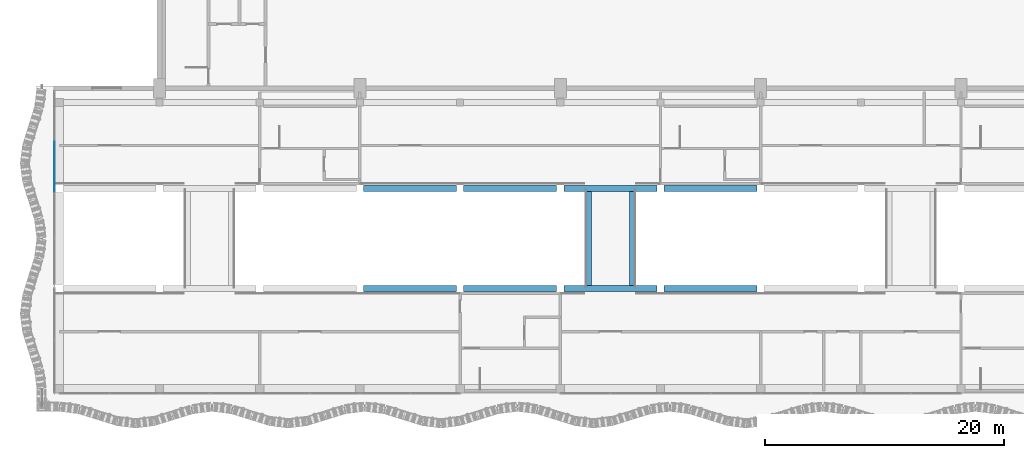
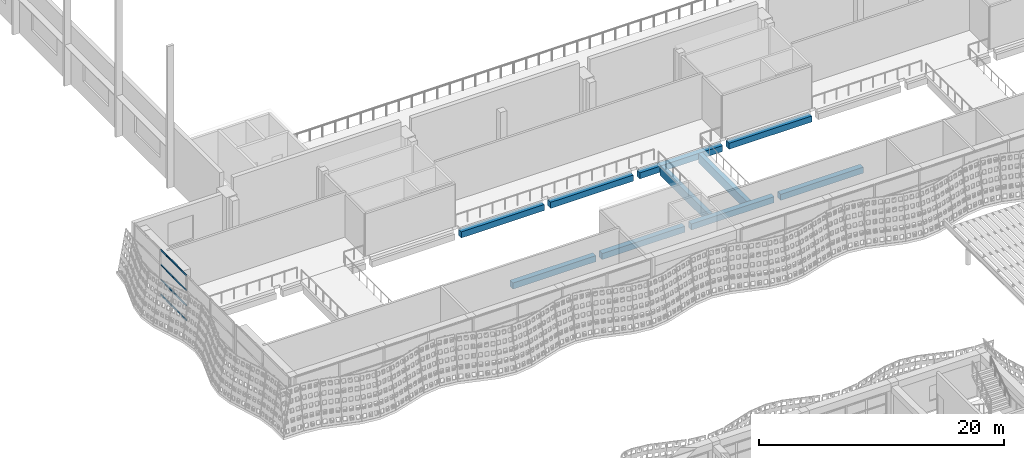
# One storey, part 29 of 162: 10 beams, 4 members, 1 element without a shape of its own.
"""IFC4 building model written with IfcOpenShell, lengths in metres."""

from ifc_helpers import new_model, si_unit, direction, frame, origin, origin_2d, place, context, subcontext, project, spatial, rectangle, extrude, material, layer, layer_set, material_profile, profile_set, type_object, element, aggregate, save


model = new_model("IFC4")

# Units and contexts
model_context = context("Model", 3, precision=1e-05, world=origin(), true_north=direction((0.0, 1.0)))
body_context = subcontext(model_context, "Body", "Model", "MODEL_VIEW")
ifc_project = project(units=[si_unit("LENGTHUNIT", "METRE"), si_unit("AREAUNIT", "SQUARE_METRE"), si_unit("VOLUMEUNIT", "CUBIC_METRE"), si_unit("PLANEANGLEUNIT", "RADIAN"), si_unit("MASSUNIT", "GRAM", prefix="KILO")], contexts=[model_context])

# Site, building, storey
site_placement = place(None, origin())
site = spatial("IfcSite", under=ifc_project, at=site_placement, CompositionType="ELEMENT")
building_placement = place(site_placement, origin())
building = spatial("IfcBuilding", under=site, at=building_placement, Name="Rain Tree Exposition and Congress Centre", CompositionType="ELEMENT")
storey_placement = place(building_placement, frame((0.0, 0.0, 6.0)))
storey = spatial("IfcBuildingStorey", under=building, at=storey_placement, Name="L01", CompositionType="ELEMENT", Elevation=6.0)

# Curtain wall, members
ifc_material_1 = material(Name="Aluminium curtain wall system", Category="aluminium")
ifc_layer = layer(ifc_material_1, 0.10009765625)
ifc_layer_set = layer_set([ifc_layer], Name="Aluminium curtain wall system")
curtain_wall_type = type_object("IfcCurtainWallType", Name="Concourse curtain wall 4200 module", PredefinedType="NOTDEFINED", material=ifc_layer_set)
curtain_wall_placement = place(storey_placement, origin())
curtain_wall = element("IfcCurtainWall", 1, at=curtain_wall_placement, inside=storey, type_object=curtain_wall_type, Name="Concourse curtain wall CWC34", PredefinedType="NOTDEFINED")
ifc_material_2 = material(Name="Aluminium transom", Category="aluminium")
ifc_material_profile_1 = material_profile(ifc_material_2, rectangle(XDim=0.06005859375, YDim=0.1201171875, at=origin_2d()), Name="AL 60x120")
ifc_profile_set_1 = profile_set([ifc_material_profile_1], Name="Aluminium transom")
member_type = type_object("IfcMemberType", Name="Concourse curtain wall transom 60x120", PredefinedType="USERDEFINED", material=ifc_profile_set_1)
member_1_placement = place(storey_placement, frame((-0.39990234375, 92.110107421875, 0.030029296875), z_axis=(0.0, 1.0, 0.0), x_axis=(-1.0, 0.0, 0.0)))
member_1 = element("IfcMember", 2, at=member_1_placement, type_object=member_type, Name="CWC34 transom 1.1", ObjectType="TRANSOM", PredefinedType="USERDEFINED", context=body_context, shape_type="SweptSolid", body=[
    extrude(rectangle(XDim=0.06005859375, YDim=0.1201171875, at=origin_2d()), origin(), (0.0, 0.0, 1.0), 4.184814453125),
])
member_2_placement = place(storey_placement, frame((-0.39990234375, 92.110107421875, 1.5), z_axis=(0.0, 1.0, 0.0), x_axis=(-1.0, 0.0, 0.0)))
member_2 = element("IfcMember", 3, at=member_2_placement, type_object=member_type, Name="CWC34 transom 1.2", ObjectType="TRANSOM", PredefinedType="USERDEFINED", context=body_context, shape_type="SweptSolid", body=[
    extrude(rectangle(XDim=0.06005859375, YDim=0.1201171875, at=origin_2d()), origin(), (0.0, 0.0, 1.0), 4.184814453125),
])
member_3_placement = place(storey_placement, frame((-0.39990234375, 92.110107421875, 3.0), z_axis=(0.0, 1.0, 0.0), x_axis=(-1.0, 0.0, 0.0)))
member_3 = element("IfcMember", 4, at=member_3_placement, type_object=member_type, Name="CWC34 transom 1.3", ObjectType="TRANSOM", PredefinedType="USERDEFINED", context=body_context, shape_type="SweptSolid", body=[
    extrude(rectangle(XDim=0.06005859375, YDim=0.1201171875, at=origin_2d()), origin(), (0.0, 0.0, 1.0), 4.184814453125),
])
member_4_placement = place(storey_placement, frame((-0.39990234375, 92.110107421875, 4.469970703125), z_axis=(0.0, 1.0, 0.0), x_axis=(-1.0, 0.0, 0.0)))
member_4 = element("IfcMember", 5, at=member_4_placement, type_object=member_type, Name="CWC34 transom 1.4", ObjectType="TRANSOM", PredefinedType="USERDEFINED", context=body_context, shape_type="SweptSolid", body=[
    extrude(rectangle(XDim=0.06005859375, YDim=0.1201171875, at=origin_2d()), origin(), (0.0, 0.0, 1.0), 4.184814453125),
])
aggregate(curtain_wall, [member_1, member_2, member_3, member_4])

# Beams
ifc_material_3 = material(Name="Precast concrete C50/60", Category="concrete")
ifc_material_profile_2 = material_profile(ifc_material_3, rectangle(XDim=0.39990234375, YDim=0.89990234375, at=origin_2d()), Name="RC 400x900")
ifc_profile_set_2 = profile_set([ifc_material_profile_2], Name="Precast concrete C50/60")
beam_type_1 = type_object("IfcBeamType", Name="Precast beam 400x900", PredefinedType="BEAM", material=ifc_profile_set_2)
for number, where, z_axis, x_axis, name in (
    (6, (44.39990234375, 84.25, -0.75), (0.0, 1.0, 0.0), (-1.0, 0.0, 0.0), "Concourse bridge beam 2.1"),
    (7, (48.0, 84.25, -0.75), (0.0, 1.0, 0.0), (-1.0, 0.0, 0.0), "Concourse bridge beam 2.2"),
):
    element("IfcBeam", number, at=place(storey_placement, frame(where, z_axis=z_axis, x_axis=x_axis)), inside=storey, type_object=beam_type_1, Name=name, PredefinedType="BEAM", context=body_context, shape_type="SweptSolid", body=[
        extrude(rectangle(XDim=0.39990234375, YDim=0.89990234375, at=origin_2d()), origin(), (0.0, 0.0, 1.0), 7.89990234375),
    ])
ifc_material_4 = material(Name="Precast concrete C50/60", Category="concrete")
ifc_material_profile_3 = material_profile(ifc_material_4, rectangle(XDim=0.5, YDim=0.60009765625, at=origin_2d()), Name="RC 500x600")
ifc_profile_set_3 = profile_set([ifc_material_profile_3], Name="Precast concrete C50/60")
beam_type_2 = type_object("IfcBeamType", Name="Precast beam 500x600", PredefinedType="BEAM", material=ifc_profile_set_3)
for number, where, z_axis, x_axis, name in (
    (8, (25.5, 84.0, -0.60009765625), (1.0, 0.0, 0.0), (0.0, 1.0, 0.0), "Concourse floor beam 36"),
    (9, (33.89990234375, 84.0, -0.60009765625), (1.0, 0.0, 0.0), (0.0, 1.0, 0.0), "Concourse floor beam 37"),
    (10, (42.300048828125, 84.0, -0.60009765625), (1.0, 0.0, 0.0), (0.0, 1.0, 0.0), "Concourse floor beam 38"),
    (11, (50.699951171875, 84.0, -0.60009765625), (1.0, 0.0, 0.0), (0.0, 1.0, 0.0), "Concourse floor beam 39"),
    (12, (25.5, 92.39990234375, -0.60009765625), (1.0, 0.0, 0.0), (0.0, 1.0, 0.0), "Concourse floor beam 68"),
    (13, (33.89990234375, 92.39990234375, -0.60009765625), (1.0, 0.0, 0.0), (0.0, 1.0, 0.0), "Concourse floor beam 69"),
    (14, (42.300048828125, 92.39990234375, -0.60009765625), (1.0, 0.0, 0.0), (0.0, 1.0, 0.0), "Concourse floor beam 70"),
    (15, (50.699951171875, 92.39990234375, -0.60009765625), (1.0, 0.0, 0.0), (0.0, 1.0, 0.0), "Concourse floor beam 71"),
):
    element("IfcBeam", number, at=place(storey_placement, frame(where, z_axis=z_axis, x_axis=x_axis)), inside=storey, type_object=beam_type_2, Name=name, PredefinedType="BEAM", context=body_context, shape_type="SweptSolid", body=[
        extrude(rectangle(XDim=0.5, YDim=0.60009765625, at=origin_2d()), origin(), (0.0, 0.0, 1.0), 7.800048828125),
    ])

save(model, "model.ifc")
